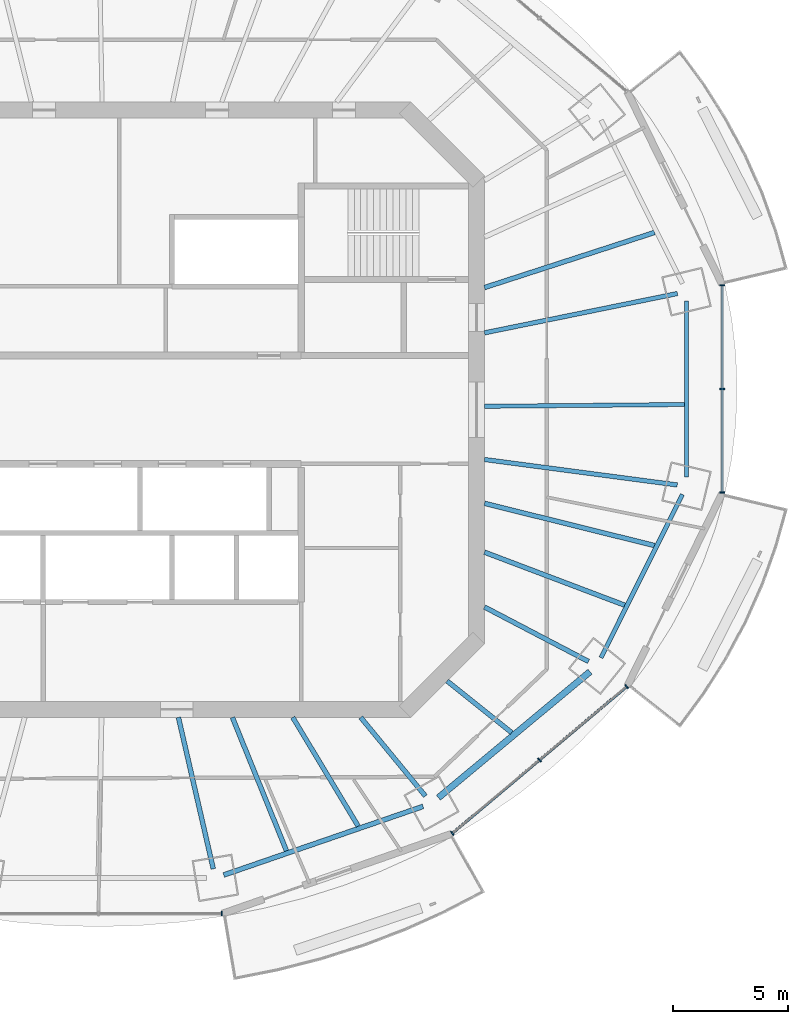
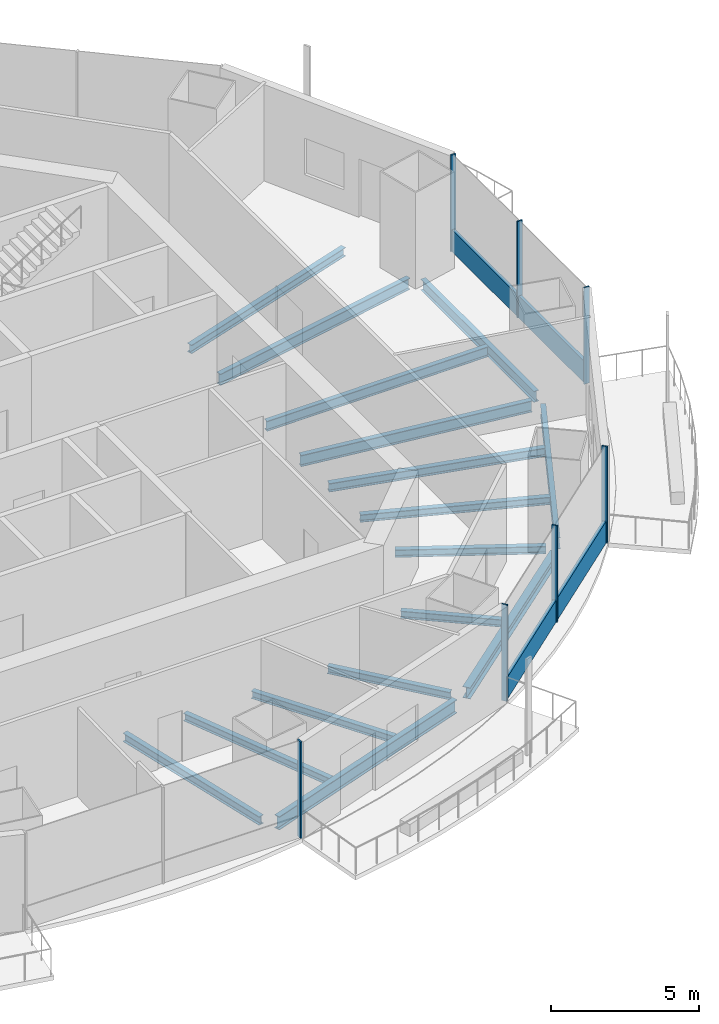
# One storey, part 4 of 16: 16 beams, 9 members, 3 elements without a shape of their own.
"""IFC4 building model written with IfcOpenShell, lengths in metres."""

import ifcopenshell
import ifcopenshell.guid

model = None  # the IFC model being written
_history = None  # IfcOwnerHistory: only IFC2X3 demands one
_inside = {}  # id of a spatial element -> (the spatial element, [elements in it])
_under = {}  # id of a project, library or spatial element -> (it, [spatial elements below it])
_declared = {}  # id of a project -> (the project, [libraries it declares])
_typed = {}  # id of a type object -> (the type object, [elements of that type])
_made_of = {}  # id of a material, layer set ... -> (it, [elements and type objects made of it])


def new_model(schema):
    """Start an empty IFC model of exactly this schema.

    Asked for "IFC4X3", IfcOpenShell would pick the latest addendum, in which some entities
    have other attributes; the version numbers below select the first issue.
    IFC2X3 requires an IfcOwnerHistory on every rooted entity: one is made here for all.
    """
    global model, _history
    if schema == "IFC4X3":
        model = ifcopenshell.file(schema_version=(4, 3, 0, 0))
    else:
        model = ifcopenshell.file(schema=schema)
    _inside.clear()
    _under.clear()
    _declared.clear()
    _typed.clear()
    _made_of.clear()
    _history = None
    if model.schema == "IFC2X3":
        org = make("IfcOrganization", Name="unknown")
        user = make(
            "IfcPersonAndOrganization",
            ThePerson=make("IfcPerson", FamilyName="unknown"),
            TheOrganization=org,
        )
        app = make(
            "IfcApplication",
            ApplicationDeveloper=org,
            Version="unknown",
            ApplicationFullName="unknown",
            ApplicationIdentifier="unknown",
        )
        _history = make(
            "IfcOwnerHistory",
            OwningUser=user,
            OwningApplication=app,
            ChangeAction="ADDED",
            CreationDate=0,
        )
    return model


def make(cls, **values):
    """One entity of the class cls with the attributes given. An attribute that is None is left unset."""
    return model.create_entity(
        cls, **{name: value for name, value in values.items() if value is not None}
    )


def rooted(cls, **values):
    """An entity with a GlobalId (a new one), such as an element, a storey or a relation."""
    return make(cls, GlobalId=ifcopenshell.guid.new(), OwnerHistory=_history, **values)


def si_unit(unit_type, name, prefix=None):
    """IfcSIUnit, for example si_unit("LENGTHUNIT", "METRE", prefix="MILLI")."""
    return make("IfcSIUnit", UnitType=unit_type, Prefix=prefix, Name=name)


def assignment(units):
    """IfcUnitAssignment: the units of a project."""
    return None if units is None else make("IfcUnitAssignment", Units=units)


def point(xyz):
    """IfcCartesianPoint."""
    return None if xyz is None else make("IfcCartesianPoint", Coordinates=xyz)


def direction(xyz):
    """IfcDirection."""
    return None if xyz is None else make("IfcDirection", DirectionRatios=xyz)


def frame(location, z_axis=None, x_axis=None):
    """IfcAxis2Placement3D, a coordinate frame: its origin and axes. An axis left out is left unset."""
    return make(
        "IfcAxis2Placement3D",
        Location=point(location),
        Axis=direction(z_axis),
        RefDirection=direction(x_axis),
    )


def frame_2d(location, x_axis=None):
    """IfcAxis2Placement2D, a coordinate frame in the plane: its origin and x axis."""
    return make(
        "IfcAxis2Placement2D", Location=point(location), RefDirection=direction(x_axis)
    )


def origin():
    """The frame at (0, 0, 0) with its axes left unset."""
    return frame((0.0, 0.0, 0.0))


def origin_2d():
    """The frame at (0, 0) in the plane with its x axis left unset."""
    return frame_2d((0.0, 0.0))


def place(relative_to, where):
    """IfcLocalPlacement: puts the frame where relative to a parent placement (None: the world)."""
    return make(
        "IfcLocalPlacement", PlacementRelTo=relative_to, RelativePlacement=where
    )


def context(
    kind, dimensions, precision=None, world=None, true_north=None, identifier=None
):
    """IfcGeometricRepresentationContext, for example the 3D "Model" context."""
    return make(
        "IfcGeometricRepresentationContext",
        ContextIdentifier=identifier,
        ContextType=kind,
        CoordinateSpaceDimension=dimensions,
        Precision=precision,
        WorldCoordinateSystem=world,
        TrueNorth=true_north,
    )


def subcontext(parent, identifier, kind, view, scale=None):
    """IfcGeometricRepresentationSubContext, for example "Body" below "Model"."""
    return make(
        "IfcGeometricRepresentationSubContext",
        ContextIdentifier=identifier,
        ContextType=kind,
        ParentContext=parent,
        TargetScale=scale,
        TargetView=view,
    )


def project(units=None, contexts=None):
    """IfcProject with its units and contexts."""
    return rooted(
        "IfcProject",
        Name="project",
        RepresentationContexts=contexts,
        UnitsInContext=assignment(units),
    )


def spatial(cls, under=None, at=None, **own):
    """A site, building, storey or space (cls), placed at a placement, below another one or the project."""
    s = rooted(cls, ObjectPlacement=at, **own)
    if under is not None:
        _under.setdefault(under.id(), (under, []))[1].append(s)
    return s


def profile(cls, at=None, kind="AREA", **sizes):
    """A parametric profile (cls). Its sizes go by their IFC names, for example OverallWidth=200.0."""
    return make(cls, ProfileType=kind, Position=at, **sizes)


def rectangle(**sizes):
    """IfcRectangleProfileDef."""
    return profile("IfcRectangleProfileDef", **sizes)


def i_section(**sizes):
    """IfcIShapeProfileDef."""
    return profile("IfcIShapeProfileDef", **sizes)


def extrude(swept, where, along, depth):
    """IfcExtrudedAreaSolid: the profile swept, set in the frame where, extruded along a direction by depth."""
    return make(
        "IfcExtrudedAreaSolid",
        SweptArea=swept,
        Position=where,
        ExtrudedDirection=direction(along),
        Depth=depth,
    )


def shape(context_of_items, identifier, shape_type, items):
    """IfcShapeRepresentation: the items that make up one representation, for example the "Body"."""
    return make(
        "IfcShapeRepresentation",
        ContextOfItems=context_of_items,
        RepresentationIdentifier=identifier,
        RepresentationType=shape_type,
        Items=items,
    )


def material(Name=None, Category=None):
    """IfcMaterial."""
    return make("IfcMaterial", Name=Name, Category=Category)


def material_profile(
    of_material, cross_section, Name=None, Category=None, Priority=None
):
    """IfcMaterialProfile: a cross section and its material."""
    return make(
        "IfcMaterialProfile",
        Name=Name,
        Material=of_material,
        Profile=cross_section,
        Priority=Priority,
        Category=Category,
    )


def profile_set(profiles, Name=None, composite=None):
    """IfcMaterialProfileSet."""
    return make(
        "IfcMaterialProfileSet",
        Name=Name,
        MaterialProfiles=profiles,
        CompositeProfile=composite,
    )


def made_of(thing, what):
    """Note that an element or type object is made of a material, layer set ...; save() writes the relation."""
    if what is not None:
        _made_of.setdefault(what.id(), (what, []))[1].append(thing)
    return thing


def type_object(cls, material=None, **own):
    """A type object (cls), such as IfcWallType, which elements share."""
    return made_of(rooted(cls, **own), material)


def element(
    cls,
    number,
    at=None,
    inside=None,
    cuts=None,
    type_object=None,
    material=None,
    context=None,
    identifier="Body",
    shape_type=None,
    held_by="IfcProductDefinitionShape",
    body=None,
    shapes=None,
    **own,
):
    """One element of the class cls, such as IfcWall. Its Tag is "e" and its number.

    at: its placement. inside: the storey or other place that contains it. cuts: it is an
    opening in that element (IfcRelVoidsElement). A single representation is given by context,
    identifier, shape_type and body (its items); several are given by shapes. held_by: the class
    of the entity that holds the representations. save() writes the other relations.
    """
    e = rooted(cls, Tag="e%d" % number, ObjectPlacement=at, **own)
    if body is not None:
        shapes = [shape(context, identifier, shape_type, body)]
    if shapes is not None:
        e.Representation = make(held_by, Representations=shapes)
    if inside is not None:
        _inside.setdefault(inside.id(), (inside, []))[1].append(e)
    if cuts is not None:
        rooted(
            "IfcRelVoidsElement", RelatingBuildingElement=cuts, RelatedOpeningElement=e
        )
    if type_object is not None:
        _typed.setdefault(type_object.id(), (type_object, []))[1].append(e)
    return made_of(e, material)


def aggregate(whole, parts):
    """IfcRelAggregates: a whole, such as a stair, and the parts it consists of."""
    return rooted("IfcRelAggregates", RelatingObject=whole, RelatedObjects=parts)


def save(model, path):
    """Write the relations noted so far, then the file.

    IfcRelAggregates (storeys below a building ...), IfcRelContainedInSpatialStructure (elements
    in a storey), IfcRelDefinesByType, IfcRelAssociatesMaterial and IfcRelDeclares: one each for
    every whole, place, type object, material and project.
    """
    for whole, parts in _under.values():
        aggregate(whole, parts)
    for where, things in _inside.values():
        rooted(
            "IfcRelContainedInSpatialStructure",
            RelatedElements=things,
            RelatingStructure=where,
        )
    for kind, things in _typed.values():
        rooted("IfcRelDefinesByType", RelatedObjects=things, RelatingType=kind)
    for what, things in _made_of.values():
        rooted("IfcRelAssociatesMaterial", RelatedObjects=things, RelatingMaterial=what)
    for by, libraries in _declared.values():
        rooted("IfcRelDeclares", RelatingContext=by, RelatedDefinitions=libraries)
    model.write(path)


model = new_model("IFC4")

# Units and contexts
model_context = context("Model", 3, precision=1e-05, world=origin(), true_north=direction((0.0, 1.0)))
body_context = subcontext(model_context, "Body", "Model", "MODEL_VIEW")
ifc_project = project(units=[si_unit("LENGTHUNIT", "METRE"), si_unit("AREAUNIT", "SQUARE_METRE"), si_unit("VOLUMEUNIT", "CUBIC_METRE"), si_unit("PLANEANGLEUNIT", "RADIAN"), si_unit("MASSUNIT", "GRAM", prefix="KILO")], contexts=[model_context])

# Site, building, storey
site_placement = place(None, origin())
site = spatial("IfcSite", under=ifc_project, at=site_placement, CompositionType="ELEMENT")
building_placement = place(site_placement, origin())
building = spatial("IfcBuilding", under=site, at=building_placement, Name="Marenthal Gate Tower", CompositionType="ELEMENT")
storey_placement = place(building_placement, frame((0.0, 0.0, 326.0)))
storey = spatial("IfcBuildingStorey", under=building, at=storey_placement, Name="L73", CompositionType="ELEMENT", Elevation=326.0)

# Curtain wall, member
ifc_material_1 = material(Name="Aluminium and glass", Category="aluminium")
curtain_wall_type = type_object("IfcCurtainWallType", Name="Curtain wall typical high", PredefinedType="NOTDEFINED", material=ifc_material_1)
curtain_wall_1_placement = place(storey_placement, origin())
curtain_wall_1 = element("IfcCurtainWall", 1, at=curtain_wall_1_placement, inside=storey, type_object=curtain_wall_type, Name="Curtain wall L73 bay 12", PredefinedType="NOTDEFINED")
ifc_material_2 = material(Name="Aluminium", Category="aluminium")
ifc_material_profile_1 = material_profile(ifc_material_2, rectangle(XDim=0.199951171875, YDim=0.06005859375, at=origin_2d()), Name="60x200 aluminium mullion")
ifc_profile_set_1 = profile_set([ifc_material_profile_1], Name="Aluminium")
member_type_1 = type_object("IfcMemberType", Name="Mullion 60x200 typical high", PredefinedType="MULLION", material=ifc_profile_set_1)
member_1_placement = place(storey_placement, frame((4.952880859375, -21.861083984375, 0.0), z_axis=(0.0, 0.0, 1.0), x_axis=(0.0, 1.0, 0.0)))
member_1 = element("IfcMember", 2, at=member_1_placement, type_object=member_type_1, Name="Mullion L73 bay 12.3", PredefinedType="MULLION", context=body_context, shape_type="SweptSolid", body=[
    extrude(rectangle(XDim=0.199951171875, YDim=0.06005859375, at=origin_2d()), origin(), (0.0, 0.0, 1.0), 3.969970703125),
])
aggregate(curtain_wall_1, [member_1])

# Curtain wall, members
curtain_wall_2_placement = place(storey_placement, origin())
curtain_wall_2 = element("IfcCurtainWall", 3, at=curtain_wall_2_placement, inside=storey, type_object=curtain_wall_type, Name="Curtain wall L73 bay 14", PredefinedType="NOTDEFINED")
member_2_placement = place(storey_placement, frame((14.9521484375, -18.376708984375, 0.0), z_axis=(0.0, 0.0, 1.0), x_axis=(-0.643676220215, 0.76529793122, 0.0)))
member_2 = element("IfcMember", 4, at=member_2_placement, type_object=member_type_1, Name="Mullion L73 bay 14.1", PredefinedType="MULLION", context=body_context, shape_type="SweptSolid", body=[
    extrude(rectangle(XDim=0.199951171875, YDim=0.06005859375, at=origin_2d()), origin(), (0.0, 0.0, 1.0), 3.969970703125),
])
member_3_placement = place(storey_placement, frame((18.735595703125, -15.194580078125, 0.0), z_axis=(0.0, 0.0, 1.0), x_axis=(-0.643676220215, 0.76529793122, 0.0)))
member_3 = element("IfcMember", 5, at=member_3_placement, type_object=member_type_1, Name="Mullion L73 bay 14.2", PredefinedType="MULLION", context=body_context, shape_type="SweptSolid", body=[
    extrude(rectangle(XDim=0.199951171875, YDim=0.06005859375, at=origin_2d()), origin(), (0.0, 0.0, 1.0), 3.969970703125),
])
member_4_placement = place(storey_placement, frame((22.518798828125, -12.012451171875, 0.0), z_axis=(0.0, 0.0, 1.0), x_axis=(-0.643676220215, 0.76529793122, 0.0)))
member_4 = element("IfcMember", 6, at=member_4_placement, type_object=member_type_1, Name="Mullion L73 bay 14.3", PredefinedType="MULLION", context=body_context, shape_type="SweptSolid", body=[
    extrude(rectangle(XDim=0.199951171875, YDim=0.06005859375, at=origin_2d()), origin(), (0.0, 0.0, 1.0), 3.969970703125),
])

curtain_wall_3_placement = place(storey_placement, origin())
curtain_wall_3 = element("IfcCurtainWall", 7, at=curtain_wall_3_placement, inside=storey, type_object=curtain_wall_type, Name="Curtain wall L73 bay 16", PredefinedType="NOTDEFINED")
member_5_placement = place(storey_placement, frame((26.661865234375, -3.597412109375, 0.0), z_axis=(0.0, 0.0, 1.0), x_axis=(-1.0, 0.0, 0.0)))
member_5 = element("IfcMember", 8, at=member_5_placement, type_object=member_type_1, Name="Mullion L73 bay 16.1", PredefinedType="MULLION", context=body_context, shape_type="SweptSolid", body=[
    extrude(rectangle(XDim=0.199951171875, YDim=0.06005859375, at=origin_2d()), origin(), (0.0, 0.0, 1.0), 3.969970703125),
])
member_6_placement = place(storey_placement, frame((26.661865234375, 0.89990234375, 0.0), z_axis=(0.0, 0.0, 1.0), x_axis=(-1.0, 0.0, 0.0)))
member_6 = element("IfcMember", 9, at=member_6_placement, type_object=member_type_1, Name="Mullion L73 bay 16.2", PredefinedType="MULLION", context=body_context, shape_type="SweptSolid", body=[
    extrude(rectangle(XDim=0.199951171875, YDim=0.06005859375, at=origin_2d()), origin(), (0.0, 0.0, 1.0), 3.969970703125),
])
member_7_placement = place(storey_placement, frame((26.661865234375, 5.3974609375, 0.0), z_axis=(0.0, 0.0, 1.0), x_axis=(-1.0, 0.0, 0.0)))
member_7 = element("IfcMember", 10, at=member_7_placement, type_object=member_type_1, Name="Mullion L73 bay 16.3", PredefinedType="MULLION", context=body_context, shape_type="SweptSolid", body=[
    extrude(rectangle(XDim=0.199951171875, YDim=0.06005859375, at=origin_2d()), origin(), (0.0, 0.0, 1.0), 3.969970703125),
])

# Member
ifc_material_3 = material(Name="Aluminium", Category="aluminium")
ifc_material_profile_2 = material_profile(ifc_material_3, rectangle(XDim=0.1201171875, YDim=0.89990234375, at=origin_2d()), Name="120x900 aluminium transom")
ifc_profile_set_2 = profile_set([ifc_material_profile_2], Name="Aluminium")
member_type_2 = type_object("IfcMemberType", Name="Transom 120x900 typical high", PredefinedType="USERDEFINED", material=ifc_profile_set_2)
member_8_placement = place(storey_placement, frame((14.97509765625, -18.357177734375, 0.449951171875), z_axis=(0.765303397989, 0.643669720451, 0.0), x_axis=(-0.643669720451, 0.765303397989, 0.0)))
member_8 = element("IfcMember", 11, at=member_8_placement, type_object=member_type_2, Name="Transom L73 bay 14", ObjectType="TRANSOM", PredefinedType="USERDEFINED", context=body_context, shape_type="SweptSolid", body=[
    extrude(rectangle(XDim=0.1201171875, YDim=0.89990234375, at=origin_2d()), origin(), (0.0, 0.0, 1.0), 9.8271484375),
])

aggregate(curtain_wall_2, [member_2, member_3, member_4, member_8])

member_9_placement = place(storey_placement, frame((26.661865234375, -3.5673828125, 0.449951171875), z_axis=(0.0, 1.0, 0.0), x_axis=(-1.0, 0.0, 0.0)))
member_9 = element("IfcMember", 12, at=member_9_placement, type_object=member_type_2, Name="Transom L73 bay 16", ObjectType="TRANSOM", PredefinedType="USERDEFINED", context=body_context, shape_type="SweptSolid", body=[
    extrude(rectangle(XDim=0.1201171875, YDim=0.89990234375, at=origin_2d()), origin(), (0.0, 0.0, 1.0), 8.934814453125),
])

aggregate(curtain_wall_3, [member_5, member_6, member_7, member_9])

# Beams
ifc_material_4 = material(Name="Steel S355", Category="steel")
ifc_material_profile_3 = material_profile(ifc_material_4, i_section(OverallWidth=0.202880859375, OverallDepth=0.302001953125, WebThickness=0.007568359375, FlangeThickness=0.01318359375, FilletRadius=0.0126953125, at=origin_2d()), Name="W310X60")
ifc_profile_set_3 = profile_set([ifc_material_profile_3], Name="Steel S355")
beam_type_1 = type_object("IfcBeamType", Name="W310X60 beam", PredefinedType="BEAM", material=ifc_profile_set_3)
beam_1_placement = place(storey_placement, frame((10.8701171875, -18.06591796875, -0.3310546875), z_axis=(-0.51555217698, 0.856858187106, 0.0), x_axis=(-0.856858187106, -0.51555217698, 0.0)))
element("IfcBeam", 13, at=beam_1_placement, inside=storey, type_object=beam_type_1, Name="BM-L73-36", PredefinedType="BEAM", context=body_context, shape_type="SweptSolid", body=[
    extrude(i_section(OverallWidth=0.202880859375, OverallDepth=0.302001953125, WebThickness=0.007568359375, FlangeThickness=0.01318359375, FilletRadius=0.0126953125, at=origin_2d()), origin(), (0.0, 0.0, 1.0), 5.503662109375),
])
beam_2_placement = place(storey_placement, frame((17.528564453125, -14.009765625, -0.3310546875), z_axis=(-0.781160795832, 0.624329889605, 0.0), x_axis=(-0.624329889605, -0.781160795832, 0.0)))
element("IfcBeam", 14, at=beam_2_placement, inside=storey, type_object=beam_type_1, Name="BM-L73-37", PredefinedType="BEAM", context=body_context, shape_type="SweptSolid", body=[
    extrude(i_section(OverallWidth=0.202880859375, OverallDepth=0.302001953125, WebThickness=0.007568359375, FlangeThickness=0.01318359375, FilletRadius=0.0126953125, at=origin_2d()), origin(), (0.0, 0.0, 1.0), 3.588134765625),
])
ifc_material_5 = material(Name="Steel S355", Category="steel")
ifc_material_profile_4 = material_profile(ifc_material_5, i_section(OverallWidth=0.205078125, OverallDepth=0.31005859375, WebThickness=0.009521484375, FlangeThickness=0.016357421875, FilletRadius=0.0126953125, at=origin_2d()), Name="W310X74")
ifc_profile_set_4 = profile_set([ifc_material_profile_4], Name="Steel S355")
beam_type_2 = type_object("IfcBeamType", Name="W310X74 beam", PredefinedType="BEAM", material=ifc_profile_set_4)
beam_3_placement = place(storey_placement, frame((13.787841796875, -16.76171875, -0.3349609375), z_axis=(-0.635279045453, 0.772282677786, 0.0), x_axis=(-0.772282677786, -0.635279045453, 0.0)))
element("IfcBeam", 15, at=beam_3_placement, inside=storey, type_object=beam_type_2, Name="BM-L73-14", PredefinedType="BEAM", context=body_context, shape_type="SweptSolid", body=[
    extrude(i_section(OverallWidth=0.205078125, OverallDepth=0.31005859375, WebThickness=0.009521484375, FlangeThickness=0.016357421875, FilletRadius=0.0126953125, at=origin_2d()), origin(), (0.0, 0.0, 1.0), 4.41748046875),
])
beam_4_placement = place(storey_placement, frame((20.8583984375, -10.921630859375, -0.3349609375), z_axis=(-0.885903828279, 0.463868954599, 0.0), x_axis=(-0.463868954599, -0.885903828279, 0.0)))
element("IfcBeam", 16, at=beam_4_placement, inside=storey, type_object=beam_type_2, Name="BM-L73-15", PredefinedType="BEAM", context=body_context, shape_type="SweptSolid", body=[
    extrude(i_section(OverallWidth=0.205078125, OverallDepth=0.31005859375, WebThickness=0.009521484375, FlangeThickness=0.016357421875, FilletRadius=0.0126953125, at=origin_2d()), origin(), (0.0, 0.0, 1.0), 5.0888671875),
])
beam_5_placement = place(storey_placement, frame((7.760498046875, -19.13671875, -0.3349609375), z_axis=(-0.375808566088, 0.926697319331, 0.0), x_axis=(-0.926697319331, -0.375808566088, 0.0)))
element("IfcBeam", 17, at=beam_5_placement, inside=storey, type_object=beam_type_2, Name="BM-L73-35", PredefinedType="BEAM", context=body_context, shape_type="SweptSolid", body=[
    extrude(i_section(OverallWidth=0.205078125, OverallDepth=0.31005859375, WebThickness=0.009521484375, FlangeThickness=0.016357421875, FilletRadius=0.0126953125, at=origin_2d()), origin(), (0.0, 0.0, 1.0), 6.244384765625),
])
beam_6_placement = place(storey_placement, frame((22.43310546875, -8.482666015625, -0.3349609375), z_axis=(-0.935356762077, 0.353705707669, 0.0), x_axis=(-0.353705707669, -0.935356762077, 0.0)))
element("IfcBeam", 18, at=beam_6_placement, inside=storey, type_object=beam_type_2, Name="BM-L73-38", PredefinedType="BEAM", context=body_context, shape_type="SweptSolid", body=[
    extrude(i_section(OverallWidth=0.205078125, OverallDepth=0.31005859375, WebThickness=0.009521484375, FlangeThickness=0.016357421875, FilletRadius=0.0126953125, at=origin_2d()), origin(), (0.0, 0.0, 1.0), 6.50341796875),
])
ifc_material_6 = material(Name="Steel S355", Category="steel")
ifc_material_profile_5 = material_profile(ifc_material_6, i_section(OverallWidth=0.205078125, OverallDepth=0.35302734375, WebThickness=0.009521484375, FlangeThickness=0.016845703125, FilletRadius=0.014892578125, at=origin_2d()), Name="W360X79")
ifc_profile_set_5 = profile_set([ifc_material_profile_5], Name="Steel S355")
beam_type_3 = type_object("IfcBeamType", Name="W360X79 beam", PredefinedType="BEAM", material=ifc_profile_set_5)
beam_7_placement = place(storey_placement, frame((4.584716796875, -19.919921875, -0.3564453125), z_axis=(-0.224309344002, 0.97451799275, 0.0), x_axis=(-0.97451799275, -0.224309344002, 0.0)))
element("IfcBeam", 19, at=beam_7_placement, inside=storey, type_object=beam_type_3, Name="BM-L73-13", PredefinedType="BEAM", context=body_context, shape_type="SweptSolid", body=[
    extrude(i_section(OverallWidth=0.205078125, OverallDepth=0.35302734375, WebThickness=0.009521484375, FlangeThickness=0.016845703125, FilletRadius=0.014892578125, at=origin_2d()), origin(), (0.0, 0.0, 1.0), 6.74169921875),
])
beam_8_placement = place(storey_placement, frame((23.7255859375, 7.68798828125, -0.3564453125), z_axis=(-0.951304454926, -0.308252873528, 0.0), x_axis=(0.308252873528, -0.951304454926, 0.0)))
element("IfcBeam", 20, at=beam_8_placement, inside=storey, type_object=beam_type_3, Name="BM-L73-17", PredefinedType="BEAM", context=body_context, shape_type="SweptSolid", body=[
    extrude(i_section(OverallWidth=0.205078125, OverallDepth=0.35302734375, WebThickness=0.009521484375, FlangeThickness=0.016845703125, FilletRadius=0.014892578125, at=origin_2d()), origin(), (0.0, 0.0, 1.0), 7.7529296875),
])
beam_9_placement = place(storey_placement, frame((23.72265625, -5.894287109375, -0.3564453125), z_axis=(-0.970493104416, 0.24112887484, 0.0), x_axis=(-0.24112887484, -0.970493104416, 0.0)))
element("IfcBeam", 21, at=beam_9_placement, inside=storey, type_object=beam_type_3, Name="BM-L73-39", PredefinedType="BEAM", context=body_context, shape_type="SweptSolid", body=[
    extrude(i_section(OverallWidth=0.205078125, OverallDepth=0.35302734375, WebThickness=0.009521484375, FlangeThickness=0.016845703125, FilletRadius=0.014892578125, at=origin_2d()), origin(), (0.0, 0.0, 1.0), 7.5966796875),
])
ifc_material_7 = material(Name="Steel S355", Category="steel")
ifc_material_profile_6 = material_profile(ifc_material_7, i_section(OverallWidth=0.180908203125, OverallDepth=0.4169921875, WebThickness=0.010986328125, FlangeThickness=0.018310546875, FilletRadius=0.01025390625, at=origin_2d()), Name="W410X85")
ifc_profile_set_6 = profile_set([ifc_material_profile_6], Name="Steel S355")
beam_type_4 = type_object("IfcBeamType", Name="W410X85 beam", PredefinedType="BEAM", material=ifc_profile_set_6)
beam_10_placement = place(storey_placement, frame((25.0166015625, 0.22412109375, -0.388427734375), z_axis=(-0.999959877283, -0.00895789174, 0.0), x_axis=(0.00895789174, -0.999959877283, 0.0)))
element("IfcBeam", 22, at=beam_10_placement, inside=storey, type_object=beam_type_4, Name="BM-L73-40", PredefinedType="BEAM", context=body_context, shape_type="SweptSolid", body=[
    extrude(i_section(OverallWidth=0.180908203125, OverallDepth=0.4169921875, WebThickness=0.010986328125, FlangeThickness=0.018310546875, FilletRadius=0.01025390625, at=origin_2d()), origin(), (0.0, 0.0, 1.0), 8.666748046875),
])
ifc_material_8 = material(Name="Steel S355", Category="steel")
ifc_material_profile_7 = material_profile(ifc_material_8, i_section(OverallWidth=0.279052734375, OverallDepth=0.4619140625, WebThickness=0.0107421875, FlangeThickness=0.017333984375, FilletRadius=0.010009765625, at=origin_2d()), Name="W460X113")
ifc_profile_set_7 = profile_set([ifc_material_profile_7], Name="Steel S355")
beam_type_5 = type_object("IfcBeamType", Name="W460X113 beam", PredefinedType="BEAM", material=ifc_profile_set_7)
beam_11_placement = place(storey_placement, frame((14.351806640625, -16.83251953125, -0.410888671875), z_axis=(0.768948693019, 0.639310493817, 0.0), x_axis=(-0.639310493817, 0.768948693019, 0.0)))
element("IfcBeam", 23, at=beam_11_placement, inside=storey, type_object=beam_type_5, Name="BM-L73-54", PredefinedType="BEAM", context=body_context, shape_type="SweptSolid", body=[
    extrude(i_section(OverallWidth=0.279052734375, OverallDepth=0.4619140625, WebThickness=0.0107421875, FlangeThickness=0.017333984375, FilletRadius=0.010009765625, at=origin_2d()), origin(), (0.0, 0.0, 1.0), 8.550048828125),
])
ifc_material_9 = material(Name="Steel S355", Category="steel")
ifc_material_profile_8 = material_profile(ifc_material_9, i_section(OverallWidth=0.19091796875, OverallDepth=0.45703125, WebThickness=0.009033203125, FlangeThickness=0.014404296875, FilletRadius=0.01025390625, at=origin_2d()), Name="W460X74")
ifc_profile_set_8 = profile_set([ifc_material_profile_8], Name="Steel S355")
beam_type_6 = type_object("IfcBeamType", Name="W460X74 beam", PredefinedType="BEAM", material=ifc_profile_set_8)
beam_12_placement = place(storey_placement, frame((21.404541015625, -10.76123046875, -0.408447265625), z_axis=(0.445942547234, 0.895061587024, 0.0), x_axis=(-0.895061587024, 0.445942547234, 0.0)))
element("IfcBeam", 24, at=beam_12_placement, inside=storey, type_object=beam_type_6, Name="BM-L73-55", PredefinedType="BEAM", context=body_context, shape_type="SweptSolid", body=[
    extrude(i_section(OverallWidth=0.19091796875, OverallDepth=0.45703125, WebThickness=0.009033203125, FlangeThickness=0.014404296875, FilletRadius=0.01025390625, at=origin_2d()), origin(), (0.0, 0.0, 1.0), 7.91650390625),
])
beam_13_placement = place(storey_placement, frame((25.1123046875, -2.91943359375, -0.408447265625), z_axis=(0.0, 1.0, 0.0), x_axis=(-1.0, 0.0, 0.0)))
element("IfcBeam", 25, at=beam_13_placement, inside=storey, type_object=beam_type_6, Name="BM-L73-56", PredefinedType="BEAM", context=body_context, shape_type="SweptSolid", body=[
    extrude(i_section(OverallWidth=0.19091796875, OverallDepth=0.45703125, WebThickness=0.009033203125, FlangeThickness=0.014404296875, FilletRadius=0.01025390625, at=origin_2d()), origin(), (0.0, 0.0, 1.0), 7.638916015625),
])
ifc_material_10 = material(Name="Steel S355", Category="steel")
ifc_material_profile_9 = material_profile(ifc_material_10, i_section(OverallWidth=0.193115234375, OverallDepth=0.467041015625, WebThickness=0.011474609375, FlangeThickness=0.01904296875, FilletRadius=0.010009765625, at=origin_2d()), Name="W460X97")
ifc_profile_set_9 = profile_set([ifc_material_profile_9], Name="Steel S355")
beam_type_7 = type_object("IfcBeamType", Name="W460X97 beam", PredefinedType="BEAM", material=ifc_profile_set_9)
beam_14_placement = place(storey_placement, frame((24.7197265625, 5.039306640625, -0.41357421875), z_axis=(-0.97984506537, -0.199758974443, 0.0), x_axis=(0.199758974443, -0.97984506537, 0.0)))
element("IfcBeam", 26, at=beam_14_placement, inside=storey, type_object=beam_type_7, Name="BM-L73-01", PredefinedType="BEAM", context=body_context, shape_type="SweptSolid", body=[
    extrude(i_section(OverallWidth=0.193115234375, OverallDepth=0.467041015625, WebThickness=0.011474609375, FlangeThickness=0.01904296875, FilletRadius=0.010009765625, at=origin_2d()), origin(), (0.0, 0.0, 1.0), 8.541748046875),
])
beam_15_placement = place(storey_placement, frame((24.7109375, -3.26611328125, -0.41357421875), z_axis=(-0.991379445633, 0.131022115603, 0.0), x_axis=(-0.131022115603, -0.991379445633, 0.0)))
element("IfcBeam", 27, at=beam_15_placement, inside=storey, type_object=beam_type_7, Name="BM-L73-16", PredefinedType="BEAM", context=body_context, shape_type="SweptSolid", body=[
    extrude(i_section(OverallWidth=0.193115234375, OverallDepth=0.467041015625, WebThickness=0.011474609375, FlangeThickness=0.01904296875, FilletRadius=0.010009765625, at=origin_2d()), origin(), (0.0, 0.0, 1.0), 8.43359375),
])
ifc_material_11 = material(Name="Steel S355", Category="steel")
ifc_material_profile_10 = material_profile(ifc_material_11, i_section(OverallWidth=0.2119140625, OverallDepth=0.5439453125, WebThickness=0.01318359375, FlangeThickness=0.021240234375, FilletRadius=0.0126953125, at=origin_2d()), Name="W530X123")
ifc_profile_set_10 = profile_set([ifc_material_profile_10], Name="Steel S355")
beam_type_8 = type_object("IfcBeamType", Name="W530X123 beam", PredefinedType="BEAM", material=ifc_profile_set_10)
beam_16_placement = place(storey_placement, frame((5.041015625, -20.185302734375, -0.451904296875), z_axis=(0.945501195555, 0.325618625394, 0.0), x_axis=(-0.325618625394, 0.945501195555, 0.0)))
element("IfcBeam", 28, at=beam_16_placement, inside=storey, type_object=beam_type_8, Name="BM-L73-53", PredefinedType="BEAM", context=body_context, shape_type="SweptSolid", body=[
    extrude(i_section(OverallWidth=0.2119140625, OverallDepth=0.5439453125, WebThickness=0.01318359375, FlangeThickness=0.021240234375, FilletRadius=0.0126953125, at=origin_2d()), origin(), (0.0, 0.0, 1.0), 9.141357421875),
])

save(model, "model.ifc")
